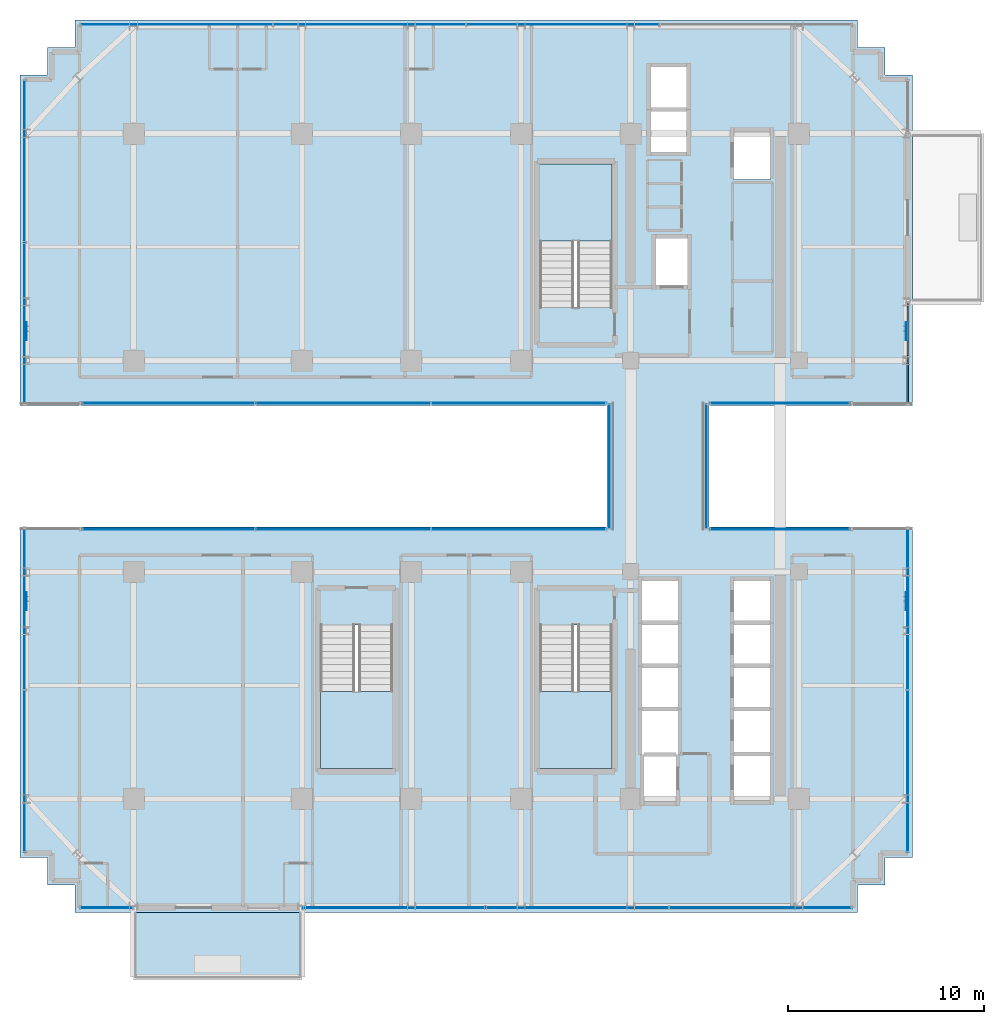
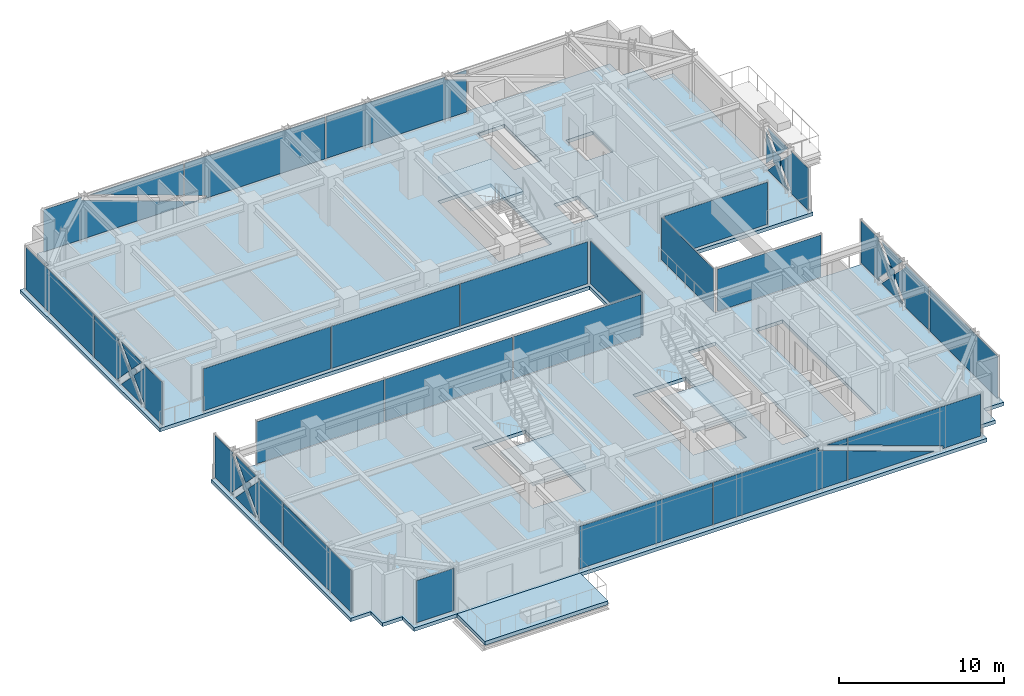
# One storey, part 30 of 38: 28 plates, 5 slabs, 16 elements without a shape of their own.
"""IFC4 building model written with IfcOpenShell, lengths in metres."""

from ifc_helpers import new_model, si_unit, direction, frame, origin, origin_2d, place, context, subcontext, project, spatial, polyline, rectangle, outline, extrude, source, transform, mapped, material, layer, layer_set, type_object, element, aggregate, save


model = new_model("IFC4")

# Units and contexts
model_context = context("Model", 3, precision=1e-05, world=origin(), true_north=direction((0.0, 1.0)))
body_context = subcontext(model_context, "Body", "Model", "MODEL_VIEW")
ifc_project = project(units=[si_unit("LENGTHUNIT", "METRE"), si_unit("AREAUNIT", "SQUARE_METRE"), si_unit("VOLUMEUNIT", "CUBIC_METRE"), si_unit("PLANEANGLEUNIT", "RADIAN"), si_unit("MASSUNIT", "GRAM", prefix="KILO")], contexts=[model_context])

# Site, building, storey
site_placement = place(None, origin())
site = spatial("IfcSite", under=ifc_project, at=site_placement, CompositionType="ELEMENT")
building_placement = place(site_placement, origin())
building = spatial("IfcBuilding", under=site, at=building_placement, Name="Nahalor Promenade Grand Hotel", CompositionType="ELEMENT")
storey_placement = place(building_placement, frame((0.0, 0.0, 178.199951171875)))
storey = spatial("IfcBuildingStorey", under=building, at=storey_placement, Name="L45", CompositionType="ELEMENT", Elevation=178.199951171875)

# Curtain wall, plates
ifc_material_1 = material(Name="Anodised Bronze Aluminium EN AW-6063 T6", Category="aluminium")
curtain_wall_type_1 = type_object("IfcCurtainWallType", Name="CW3 Elliptical-Void Collar Unitised Curtain Wall", PredefinedType="USERDEFINED", material=ifc_material_1)
curtain_wall_1_placement = place(storey_placement, origin())
curtain_wall_1 = element("IfcCurtainWall", 1, at=curtain_wall_1_placement, inside=storey, type_object=curtain_wall_type_1, Name="L45 Curtain Wall CW-L45-S-3", ObjectType="UNITISED_CURTAIN_WALL", PredefinedType="USERDEFINED")
ifc_material_2 = material(Name="Low-E Laminated Solar Glass", Category="glass")
ifc_layer_1 = layer(ifc_material_2, 0.030029296875)
ifc_layer_set_1 = layer_set([ifc_layer_1], Name="Low-E Laminated Solar Glass")
plate_type_1 = type_object("IfcPlateType", Name="CWP3 High-Wind Laminated Bronze IGU 30mm", PredefinedType="CURTAIN_PANEL", material=ifc_layer_set_1)
plate_1_placement = place(storey_placement, frame((5.679931640625, -22.56005859375, 0.14013671875), z_axis=(0.0, 0.0, 1.0), x_axis=(1.0, 0.0, 0.0)))
plate_1 = element("IfcPlate", 2, at=plate_1_placement, type_object=plate_type_1, Name="CW-L45-S-3 Glazing Panel 1-0", PredefinedType="CURTAIN_PANEL", context=body_context, shape_type="SweptSolid", body=[
    extrude(outline(polyline([(-4.658447265625, 0.0), (4.658447265625, 0.0), (4.658447265625, 2.19091796875), (2.62890625, 2.920166015625), (2.697021484375, 3.110107421875), (-4.658447265625, 3.110107421875), (-4.658447265625, 0.0)])), frame((0.0, 0.01513671875, 0.0), z_axis=(0.0, -1.0, 0.0), x_axis=(1.0, 0.0, 0.0)), (0.0, 0.0, 1.0), 0.030029296875),
    extrude(outline(polyline([(4.658447265625, 2.615966796875), (4.658447265625, 3.110107421875), (3.28369140625, 3.110107421875), (4.658447265625, 2.615966796875)])), frame((0.0, 0.01513671875, 0.0), z_axis=(0.0, -1.0, 0.0), x_axis=(1.0, 0.0, 0.0)), (0.0, 0.0, 1.0), 0.030029296875),
])
plate_2_placement = place(storey_placement, frame((15.049072265625, -22.56005859375, 0.14013671875), z_axis=(0.0, 0.0, 1.0), x_axis=(1.0, 0.0, 0.0)))
plate_2 = element("IfcPlate", 3, at=plate_2_placement, type_object=plate_type_1, Name="CW-L45-S-3 Glazing Panel 2-0", PredefinedType="CURTAIN_PANEL", context=body_context, shape_type="SweptSolid", body=[
    extrude(outline(polyline([(4.640869140625, 3.110107421875), (-4.640869140625, 3.110107421875), (-4.640869140625, 2.5908203125), (2.0419921875, 0.189697265625), (1.973876953125, 0.0), (4.640869140625, 0.0), (4.640869140625, 3.110107421875)])), frame((0.0, 0.01513671875, 0.0), z_axis=(0.0, -1.0, 0.0), x_axis=(1.0, 0.0, 0.0)), (0.0, 0.0, 1.0), 0.030029296875),
    extrude(outline(polyline([(-4.640869140625, 2.165771484375), (-4.640869140625, 0.0), (1.38720703125, 0.0), (-4.640869140625, 2.165771484375)])), frame((0.0, 0.01513671875, 0.0), z_axis=(0.0, -1.0, 0.0), x_axis=(1.0, 0.0, 0.0)), (0.0, 0.0, 1.0), 0.030029296875),
])

curtain_wall_2_placement = place(storey_placement, origin())
curtain_wall_2 = element("IfcCurtainWall", 4, at=curtain_wall_2_placement, inside=storey, type_object=curtain_wall_type_1, Name="L45 Curtain Wall CW-L45-N-1", ObjectType="UNITISED_CURTAIN_WALL", PredefinedType="USERDEFINED")
plate_3_placement = place(storey_placement, frame((-14.802490234375, 22.56005859375, 0.14013671875), z_axis=(0.0, 0.0, 1.0), x_axis=(1.0, 0.0, 0.0)))
plate_3 = element("IfcPlate", 5, at=plate_3_placement, type_object=plate_type_1, Name="CW-L45-N-1 Glazing Panel 0-0", PredefinedType="CURTAIN_PANEL", context=body_context, shape_type="SweptSolid", body=[
    extrude(outline(polyline([(-4.887451171875, 0.0), (4.887451171875, 0.0), (4.887451171875, 0.341796875), (-2.28857421875, 2.920166015625), (-2.220458984375, 3.110107421875), (-4.887451171875, 3.110107421875), (-4.887451171875, 0.0)])), frame((0.0, 0.01513671875, 0.0), z_axis=(0.0, -1.0, 0.0), x_axis=(1.0, 0.0, 0.0)), (0.0, 0.0, 1.0), 0.030029296875),
    extrude(outline(polyline([(4.887451171875, 0.766845703125), (4.887451171875, 3.110107421875), (-1.6337890625, 3.110107421875), (4.887451171875, 0.766845703125)])), frame((0.0, 0.01513671875, 0.0), z_axis=(0.0, -1.0, 0.0), x_axis=(1.0, 0.0, 0.0)), (0.0, 0.0, 1.0), 0.030029296875),
])
plate_4_placement = place(storey_placement, frame((-4.93994140625, 22.56005859375, 0.14013671875), z_axis=(0.0, 0.0, 1.0), x_axis=(1.0, 0.0, 0.0)))
plate_4 = element("IfcPlate", 6, at=plate_4_placement, type_object=plate_type_1, Name="CW-L45-N-1 Glazing Panel 1-0", PredefinedType="CURTAIN_PANEL", context=body_context, shape_type="SweptSolid", body=[
    extrude(outline(polyline([(4.905029296875, 3.110107421875), (-4.905029296875, 3.110107421875), (-4.905029296875, 0.74169921875), (-3.368896484375, 0.189697265625), (-3.43701171875, 0.0), (4.905029296875, 0.0), (4.905029296875, 3.110107421875)])), frame((0.0, 0.01513671875, 0.0), z_axis=(0.0, -1.0, 0.0), x_axis=(1.0, 0.0, 0.0)), (0.0, 0.0, 1.0), 0.030029296875),
    extrude(outline(polyline([(-4.905029296875, 0.316650390625), (-4.905029296875, 0.0), (-4.023681640625, 0.0), (-4.905029296875, 0.316650390625)])), frame((0.0, 0.01513671875, 0.0), z_axis=(0.0, -1.0, 0.0), x_axis=(1.0, 0.0, 0.0)), (0.0, 0.0, 1.0), 0.030029296875),
])
plate_5_placement = place(storey_placement, frame((4.93994140625, 22.56005859375, 0.14013671875), z_axis=(0.0, 0.0, 1.0), x_axis=(1.0, 0.0, 0.0)))
plate_5 = element("IfcPlate", 7, at=plate_5_placement, type_object=plate_type_1, Name="CW-L45-N-1 Glazing Panel 2-0", PredefinedType="CURTAIN_PANEL", context=body_context, shape_type="SweptSolid", body=[
    extrude(outline(polyline([(-4.905029296875, 0.0), (4.905029296875, 0.0), (4.905029296875, 2.368408203125), (3.368896484375, 2.920166015625), (3.43701171875, 3.110107421875), (-4.905029296875, 3.110107421875), (-4.905029296875, 0.0)])), frame((0.0, 0.01513671875, 0.0), z_axis=(0.0, -1.0, 0.0), x_axis=(1.0, 0.0, 0.0)), (0.0, 0.0, 1.0), 0.030029296875),
    extrude(outline(polyline([(4.905029296875, 2.793212890625), (4.905029296875, 3.110107421875), (4.023681640625, 3.110107421875), (4.905029296875, 2.793212890625)])), frame((0.0, 0.01513671875, 0.0), z_axis=(0.0, -1.0, 0.0), x_axis=(1.0, 0.0, 0.0)), (0.0, 0.0, 1.0), 0.030029296875),
])
aggregate(curtain_wall_2, [plate_3, plate_4, plate_5])

# Curtain wall, plate
curtain_wall_3_placement = place(storey_placement, origin())
curtain_wall_3 = element("IfcCurtainWall", 8, at=curtain_wall_3_placement, inside=storey, type_object=curtain_wall_type_1, Name="L45 Curtain Wall CW-L45-W-1", ObjectType="UNITISED_CURTAIN_WALL", PredefinedType="USERDEFINED")
plate_6_placement = place(storey_placement, frame((-22.56005859375, -7.282470703125, 0.14013671875), z_axis=(0.0, 0.0, 1.0), x_axis=(0.0, 1.0, 0.0)))
plate_6 = element("IfcPlate", 9, at=plate_6_placement, type_object=plate_type_1, Name="CW-L45-W-1 Glazing Panel 1-0", PredefinedType="CURTAIN_PANEL", context=body_context, shape_type="SweptSolid", body=[
    extrude(outline(polyline([(-4.112548828125, 3.110107421875), (-4.112548828125, 0.0), (-1.14306640625, 0.0), (-1.2783203125, 0.13134765625), (0.103759765625, 1.554931640625), (-1.2783203125, 2.978515625), (-1.14306640625, 3.110107421875), (-4.112548828125, 3.110107421875)])), frame((0.0, 0.01513671875, 0.0), z_axis=(0.0, -1.0, 0.0), x_axis=(1.0, 0.0, 0.0)), (0.0, 0.0, 1.0), 0.030029296875),
    extrude(outline(polyline([(0.382568359375, 1.267822265625), (-0.848388671875, 0.0), (1.613525390625, 0.0), (0.382568359375, 1.267822265625)])), frame((0.0, 0.01513671875, 0.0), z_axis=(0.0, -1.0, 0.0), x_axis=(1.0, 0.0, 0.0)), (0.0, 0.0, 1.0), 0.030029296875),
    extrude(outline(polyline([(0.382568359375, 1.842041015625), (1.613525390625, 3.110107421875), (-0.848388671875, 3.110107421875), (0.382568359375, 1.842041015625)])), frame((0.0, 0.01513671875, 0.0), z_axis=(0.0, -1.0, 0.0), x_axis=(1.0, 0.0, 0.0)), (0.0, 0.0, 1.0), 0.030029296875),
    extrude(outline(polyline([(4.112548828125, 0.0), (4.112548828125, 3.110107421875), (1.908203125, 3.110107421875), (2.04345703125, 2.978515625), (0.661376953125, 1.554931640625), (2.04345703125, 0.13134765625), (1.908203125, 0.0), (4.112548828125, 0.0)])), frame((0.0, 0.01513671875, 0.0), z_axis=(0.0, -1.0, 0.0), x_axis=(1.0, 0.0, 0.0)), (0.0, 0.0, 1.0), 0.030029296875),
])

curtain_wall_4_placement = place(storey_placement, origin())
curtain_wall_4 = element("IfcCurtainWall", 10, at=curtain_wall_4_placement, inside=storey, type_object=curtain_wall_type_1, Name="L45 Curtain Wall CW-L45-W-2", ObjectType="UNITISED_CURTAIN_WALL", PredefinedType="USERDEFINED")
plate_7_placement = place(storey_placement, frame((-22.56005859375, 7.282470703125, 0.14013671875), z_axis=(0.0, 0.0, 1.0), x_axis=(0.0, 1.0, 0.0)))
plate_7 = element("IfcPlate", 11, at=plate_7_placement, type_object=plate_type_1, Name="CW-L45-W-2 Glazing Panel 0-0", PredefinedType="CURTAIN_PANEL", context=body_context, shape_type="SweptSolid", body=[
    extrude(outline(polyline([(-4.112548828125, 3.110107421875), (-4.112548828125, 0.0), (-1.908203125, 0.0), (-2.04345703125, 0.13134765625), (-0.661376953125, 1.554931640625), (-2.04345703125, 2.978515625), (-1.908203125, 3.110107421875), (-4.112548828125, 3.110107421875)])), frame((0.0, 0.01513671875, 0.0), z_axis=(0.0, -1.0, 0.0), x_axis=(1.0, 0.0, 0.0)), (0.0, 0.0, 1.0), 0.030029296875),
    extrude(outline(polyline([(-0.382568359375, 1.267822265625), (-1.613525390625, 0.0), (0.848388671875, 0.0), (-0.382568359375, 1.267822265625)])), frame((0.0, 0.01513671875, 0.0), z_axis=(0.0, -1.0, 0.0), x_axis=(1.0, 0.0, 0.0)), (0.0, 0.0, 1.0), 0.030029296875),
    extrude(outline(polyline([(-0.382568359375, 1.842041015625), (0.848388671875, 3.110107421875), (-1.613525390625, 3.110107421875), (-0.382568359375, 1.842041015625)])), frame((0.0, 0.01513671875, 0.0), z_axis=(0.0, -1.0, 0.0), x_axis=(1.0, 0.0, 0.0)), (0.0, 0.0, 1.0), 0.030029296875),
    extrude(outline(polyline([(4.112548828125, 0.0), (4.112548828125, 3.110107421875), (1.14306640625, 3.110107421875), (1.2783203125, 2.978515625), (-0.103759765625, 1.554931640625), (1.2783203125, 0.13134765625), (1.14306640625, 0.0), (4.112548828125, 0.0)])), frame((0.0, 0.01513671875, 0.0), z_axis=(0.0, -1.0, 0.0), x_axis=(1.0, 0.0, 0.0)), (0.0, 0.0, 1.0), 0.030029296875),
])

curtain_wall_5_placement = place(storey_placement, origin())
curtain_wall_5 = element("IfcCurtainWall", 12, at=curtain_wall_5_placement, inside=storey, type_object=curtain_wall_type_1, Name="L45 Curtain Wall CW-L45-E-1", ObjectType="UNITISED_CURTAIN_WALL", PredefinedType="USERDEFINED")
plate_8_placement = place(storey_placement, frame((22.56005859375, -7.282470703125, 0.14013671875), z_axis=(0.0, 0.0, 1.0), x_axis=(0.0, 1.0, 0.0)))
plate_8 = element("IfcPlate", 13, at=plate_8_placement, type_object=plate_type_1, Name="CW-L45-E-1 Glazing Panel 1-0", PredefinedType="CURTAIN_PANEL", context=body_context, shape_type="SweptSolid", body=[
    extrude(outline(polyline([(-4.112548828125, 3.110107421875), (-4.112548828125, 0.0), (-1.14306640625, 0.0), (-1.2783203125, 0.13134765625), (0.103759765625, 1.554931640625), (-1.2783203125, 2.978515625), (-1.14306640625, 3.110107421875), (-4.112548828125, 3.110107421875)])), frame((0.0, 0.01513671875, 0.0), z_axis=(0.0, -1.0, 0.0), x_axis=(1.0, 0.0, 0.0)), (0.0, 0.0, 1.0), 0.030029296875),
    extrude(outline(polyline([(0.382568359375, 1.267822265625), (-0.848388671875, 0.0), (1.613525390625, 0.0), (0.382568359375, 1.267822265625)])), frame((0.0, 0.01513671875, 0.0), z_axis=(0.0, -1.0, 0.0), x_axis=(1.0, 0.0, 0.0)), (0.0, 0.0, 1.0), 0.030029296875),
    extrude(outline(polyline([(0.382568359375, 1.842041015625), (1.613525390625, 3.110107421875), (-0.848388671875, 3.110107421875), (0.382568359375, 1.842041015625)])), frame((0.0, 0.01513671875, 0.0), z_axis=(0.0, -1.0, 0.0), x_axis=(1.0, 0.0, 0.0)), (0.0, 0.0, 1.0), 0.030029296875),
    extrude(outline(polyline([(4.112548828125, 0.0), (4.112548828125, 3.110107421875), (1.908203125, 3.110107421875), (2.04345703125, 2.978515625), (0.661376953125, 1.554931640625), (2.04345703125, 0.13134765625), (1.908203125, 0.0), (4.112548828125, 0.0)])), frame((0.0, 0.01513671875, 0.0), z_axis=(0.0, -1.0, 0.0), x_axis=(1.0, 0.0, 0.0)), (0.0, 0.0, 1.0), 0.030029296875),
])

curtain_wall_6_placement = place(storey_placement, origin())
curtain_wall_6 = element("IfcCurtainWall", 14, at=curtain_wall_6_placement, inside=storey, type_object=curtain_wall_type_1, Name="L45 Curtain Wall CW-L45-E-2", ObjectType="UNITISED_CURTAIN_WALL", PredefinedType="USERDEFINED")
plate_9_placement = place(storey_placement, frame((22.56005859375, 5.75, 0.14013671875), z_axis=(0.0, 0.0, 1.0), x_axis=(0.0, 1.0, 0.0)))
plate_9 = element("IfcPlate", 15, at=plate_9_placement, type_object=plate_type_1, Name="CW-L45-E-2 Glazing Panel 0-0", PredefinedType="CURTAIN_PANEL", context=body_context, shape_type="SweptSolid", body=[
    extrude(outline(polyline([(-2.580078125, 3.110107421875), (-2.580078125, 0.0), (-0.37548828125, 0.0), (-0.510986328125, 0.13134765625), (0.871337890625, 1.554931640625), (-0.510986328125, 2.978515625), (-0.37548828125, 3.110107421875), (-2.580078125, 3.110107421875)])), frame((0.0, 0.01513671875, 0.0), z_axis=(0.0, -1.0, 0.0), x_axis=(1.0, 0.0, 0.0)), (0.0, 0.0, 1.0), 0.030029296875),
    extrude(outline(polyline([(1.14990234375, 1.267822265625), (-0.0810546875, 0.0), (2.380859375, 0.0), (1.14990234375, 1.267822265625)])), frame((0.0, 0.01513671875, 0.0), z_axis=(0.0, -1.0, 0.0), x_axis=(1.0, 0.0, 0.0)), (0.0, 0.0, 1.0), 0.030029296875),
    extrude(outline(polyline([(1.14990234375, 1.842041015625), (2.380859375, 3.110107421875), (-0.0810546875, 3.110107421875), (1.14990234375, 1.842041015625)])), frame((0.0, 0.01513671875, 0.0), z_axis=(0.0, -1.0, 0.0), x_axis=(1.0, 0.0, 0.0)), (0.0, 0.0, 1.0), 0.030029296875),
    extrude(outline(polyline([(1.4287109375, 1.554931640625), (2.580078125, 0.369140625), (2.580078125, 2.74072265625), (1.4287109375, 1.554931640625)])), frame((0.0, 0.01513671875, 0.0), z_axis=(0.0, -1.0, 0.0), x_axis=(1.0, 0.0, 0.0)), (0.0, 0.0, 1.0), 0.030029296875),
])
aggregate(curtain_wall_6, [plate_9])

# Stair, slab
ifc_material_3 = material(Name="Concrete B-50 (C40/50)", Category="concrete")
stair_type_1 = type_object("IfcStairType", Name="Stair-ST1", PredefinedType="HALF_TURN_STAIR", material=ifc_material_3)
stair_1_placement = place(storey_placement, origin())
stair_1 = element("IfcStair", 16, at=stair_1_placement, inside=storey, type_object=stair_type_1, Name="L45 ST1", PredefinedType="HALF_TURN_STAIR")
ifc_layer_2 = layer(ifc_material_3, 0.199951171875)
ifc_layer_set_2 = layer_set([ifc_layer_2], Name="Concrete B-50 (C40/50)")
slab_type_1 = type_object("IfcSlabType", Name="Landing-ST1", PredefinedType="LANDING", material=ifc_layer_set_2)
slab_1_placement = place(storey_placement, frame((0.0, 0.0, 1.625)))
slab_1 = element("IfcSlab", 17, at=slab_1_placement, type_object=slab_type_1, Name="ST1 landing 1", PredefinedType="LANDING", context=body_context, shape_type="SweptSolid", body=[
    extrude(outline(polyline([(7.449951171875, 11.5), (7.449951171875, 15.449951171875), (3.75, 15.449951171875), (3.75, 11.5), (7.449951171875, 11.5)])), origin(), (0.0, 0.0, 1.0), 0.199951171875),
])
aggregate(stair_1, [slab_1])

stair_type_2 = type_object("IfcStairType", Name="Stair-ST2", PredefinedType="HALF_TURN_STAIR", material=ifc_material_3)
stair_2_placement = place(storey_placement, origin())
stair_2 = element("IfcStair", 18, at=stair_2_placement, inside=storey, type_object=stair_type_2, Name="L45 ST2", PredefinedType="HALF_TURN_STAIR")
ifc_layer_3 = layer(ifc_material_3, 0.2099609375)
ifc_layer_set_3 = layer_set([ifc_layer_3], Name="Concrete B-50 (C40/50)")
slab_type_2 = type_object("IfcSlabType", Name="Landing-ST2", PredefinedType="LANDING", material=ifc_layer_set_3)
slab_2_placement = place(storey_placement, frame((0.0, 0.0, 1.614990234375)))
slab_2 = element("IfcSlab", 19, at=slab_2_placement, type_object=slab_type_2, Name="ST2 landing 1", PredefinedType="LANDING", context=body_context, shape_type="SweptSolid", body=[
    extrude(outline(polyline([(3.75, -11.5), (3.75, -15.449951171875), (7.449951171875, -15.449951171875), (7.449951171875, -11.5), (3.75, -11.5)])), origin(), (0.0, 0.0, 1.0), 0.2099609375),
])
aggregate(stair_2, [slab_2])

stair_type_3 = type_object("IfcStairType", Name="Stair-ST3", PredefinedType="HALF_TURN_STAIR", material=ifc_material_3)
stair_3_placement = place(storey_placement, origin())
stair_3 = element("IfcStair", 20, at=stair_3_placement, inside=storey, type_object=stair_type_3, Name="L45 ST3", PredefinedType="HALF_TURN_STAIR")
ifc_layer_4 = layer(ifc_material_3, 0.219970703125)
ifc_layer_set_4 = layer_set([ifc_layer_4], Name="Concrete B-50 (C40/50)")
slab_type_3 = type_object("IfcSlabType", Name="Landing-ST3", PredefinedType="LANDING", material=ifc_layer_set_4)
slab_3_placement = place(storey_placement, frame((0.0, 0.0, 1.60498046875)))
slab_3 = element("IfcSlab", 21, at=slab_3_placement, type_object=slab_type_3, Name="ST3 landing 1", PredefinedType="LANDING", context=body_context, shape_type="SweptSolid", body=[
    extrude(outline(polyline([(-7.449951171875, -11.5), (-7.449951171875, -15.449951171875), (-3.75, -15.449951171875), (-3.75, -11.5), (-7.449951171875, -11.5)])), origin(), (0.0, 0.0, 1.0), 0.219970703125),
])
aggregate(stair_3, [slab_3])

# Slabs
ifc_layer_5 = layer(ifc_material_3, 0.280029296875)
ifc_layer_set_5 = layer_set([ifc_layer_5], Name="Concrete B-50 (C40/50)")
slab_type_4 = type_object("IfcSlabType", Name="Slab-Balcony-280", PredefinedType="FLOOR", material=ifc_layer_set_5)
slab_4_placement = place(storey_placement, frame((0.0, 0.0, -0.280029296875)))
element("IfcSlab", 22, at=slab_4_placement, inside=storey, type_object=slab_type_4, Name="L45 Cantilevered Planted Balcony 1", PredefinedType="FLOOR", context=body_context, shape_type="SweptSolid", body=[
    extrude(outline(polyline([(-17.0, -26.179931640625), (-8.39990234375, -26.179931640625), (-8.39990234375, -22.800048828125), (-17.0, -22.800048828125), (-17.0, -26.179931640625)])), origin(), (0.0, 0.0, 1.0), 0.280029296875),
])
ifc_layer_6 = layer(ifc_material_3, 0.260009765625)
ifc_layer_set_6 = layer_set([ifc_layer_6], Name="Concrete B-50 (C40/50)")
slab_type_5 = type_object("IfcSlabType", Name="Slab-TowerZ3-260", PredefinedType="FLOOR", material=ifc_layer_set_6)
slab_5_placement = place(storey_placement, frame((0.0, 0.0, -0.260009765625)))
element("IfcSlab", 23, at=slab_5_placement, inside=storey, type_object=slab_type_5, Name="L45 Suspended Structural Floor Slab", PredefinedType="FLOOR", context=body_context, shape_type="SweptSolid", body=[
    extrude(outline(polyline([(-20.0, -22.800048828125), (20.0, -22.800048828125), (20.0, -21.39990234375), (21.39990234375, -21.39990234375), (21.39990234375, -20.0), (22.800048828125, -20.0), (22.800048828125, -3.10009765625), (12.39990234375, -3.10009765625), (12.39990234375, 3.10009765625), (22.800048828125, 3.10009765625), (22.800048828125, 20.0), (21.39990234375, 20.0), (21.39990234375, 21.39990234375), (20.0, 21.39990234375), (20.0, 22.800048828125), (-20.0, 22.800048828125), (-20.0, 21.39990234375), (-21.39990234375, 21.39990234375), (-21.39990234375, 20.0), (-22.800048828125, 20.0), (-22.800048828125, 3.10009765625), (7.199951171875, 3.10009765625), (7.199951171875, -3.10009765625), (-22.800048828125, -3.10009765625), (-22.800048828125, -20.0), (-21.39990234375, -20.0), (-21.39990234375, -21.39990234375), (-20.0, -21.39990234375), (-20.0, -22.800048828125)]), holes=[polyline([(3.75, 8.10009765625), (7.449951171875, 8.10009765625), (7.449951171875, 15.449951171875), (3.75, 15.449951171875), (3.75, 8.10009765625)]), polyline([(3.75, -15.449951171875), (7.449951171875, -15.449951171875), (7.449951171875, -8.10009765625), (3.75, -8.10009765625), (3.75, -15.449951171875)]), polyline([(-7.449951171875, -15.449951171875), (-3.75, -15.449951171875), (-3.75, -8.10009765625), (-7.449951171875, -8.10009765625), (-7.449951171875, -15.449951171875)]), polyline([(13.659912109375, -17.139892578125), (15.5400390625, -17.139892578125), (15.5400390625, -5.81005859375), (13.659912109375, -5.81005859375), (13.659912109375, -17.139892578125)]), polyline([(8.9599609375, -17.18994140625), (10.840087890625, -17.18994140625), (10.840087890625, -5.81005859375), (8.9599609375, -5.81005859375), (8.9599609375, -17.18994140625)]), polyline([(9.409912109375, 16.010009765625), (11.2900390625, 16.010009765625), (11.2900390625, 20.43994140625), (9.409912109375, 20.43994140625), (9.409912109375, 16.010009765625)]), polyline([(9.659912109375, 9.2099609375), (11.340087890625, 9.2099609375), (11.340087890625, 11.68994140625), (9.659912109375, 11.68994140625), (9.659912109375, 9.2099609375)]), polyline([(13.659912109375, 14.659912109375), (15.5400390625, 14.659912109375), (15.5400390625, 17.139892578125), (13.659912109375, 17.139892578125), (13.659912109375, 14.659912109375)])]), origin(), (0.0, 0.0, 1.0), 0.260009765625),
])

# Plates
ifc_material_4 = material(Name="Steel S355J2", Category="steel")
ifc_layer_7 = layer(ifc_material_4, 0.035888671875)
ifc_layer_set_7 = layer_set([ifc_layer_7], Name="Steel S355J2")
plate_type_2 = type_object("IfcPlateType", Name="Plate-CrossGusset-36", PredefinedType="USERDEFINED", material=ifc_layer_set_7)
shared_shape_1 = source(origin(), body_context, "Body", "SweptSolid", [
    extrude(rectangle(XDim=0.89990234375, YDim=0.035888671875, at=origin_2d()), origin(), (0.0, 0.0, 1.0), 0.89990234375),
])
for number, where, z_axis, x_axis, name in (
    (24, (-22.47998046875, -6.89990234375, 1.2451171875), (0.0, 0.0, 1.0), (0.0, 1.0, 0.0), "PL-L45-VXX-W0"),
    (25, (-22.47998046875, 6.89990234375, 1.2451171875), (0.0, 0.0, 1.0), (0.0, 1.0, 0.0), "PL-L45-VXX-W1"),
    (26, (22.47998046875, -6.89990234375, 1.2451171875), (0.0, 0.0, 1.0), (0.0, 1.0, 0.0), "PL-L45-VXX-E0"),
    (27, (22.47998046875, 6.89990234375, 1.2451171875), (0.0, 0.0, 1.0), (0.0, 1.0, 0.0), "PL-L45-VXX-E1"),
):
    element("IfcPlate", number, at=place(storey_placement, frame(where, z_axis=z_axis, x_axis=x_axis)), inside=storey, type_object=plate_type_2, Name=name, ObjectType="GUSSET_PLATE", PredefinedType="USERDEFINED", context=body_context, shape_type="MappedRepresentation", body=[
        mapped(shared_shape_1, transform((0.0, 0.0, 0.0), scale=1.0)),
    ])

# Curtain wall, plate
curtain_wall_7_placement = place(storey_placement, origin())
curtain_wall_7 = element("IfcCurtainWall", 28, at=curtain_wall_7_placement, inside=storey, type_object=curtain_wall_type_1, Name="L45 Curtain Wall CW-L45-S-1", ObjectType="UNITISED_CURTAIN_WALL", PredefinedType="USERDEFINED")
shared_shape_2 = source(origin(), body_context, "Body", "SweptSolid", [
    extrude(rectangle(XDim=2.6201171875, YDim=0.030029296875, at=origin_2d()), origin(), (0.0, 0.0, 1.0), 3.110107421875),
])
plate_10_placement = place(storey_placement, frame((-18.3798828125, -22.56005859375, 0.14013671875), z_axis=(0.0, 0.0, 1.0), x_axis=(1.0, 0.0, 0.0)))
plate_10 = element("IfcPlate", 29, at=plate_10_placement, type_object=plate_type_1, Name="CW-L45-S-1 Glazing Panel 0-0", PredefinedType="CURTAIN_PANEL", context=body_context, shape_type="MappedRepresentation", body=[
    mapped(shared_shape_2, transform((0.0, 0.0, 0.0), scale=1.0)),
])
aggregate(curtain_wall_7, [plate_10])

# Curtain wall, plates
curtain_wall_8_placement = place(storey_placement, origin())
curtain_wall_8 = element("IfcCurtainWall", 30, at=curtain_wall_8_placement, inside=storey, type_object=curtain_wall_type_1, Name="L45 Curtain Wall CW-L45-VOID-WS1", ObjectType="UNITISED_CURTAIN_WALL", PredefinedType="USERDEFINED")
shared_shape_3 = source(origin(), body_context, "Body", "SweptSolid", [
    extrude(rectangle(XDim=8.881591796875, YDim=0.030029296875, at=origin_2d()), origin(), (0.0, 0.0, 1.0), 3.110107421875),
])
plate_11_placement = place(storey_placement, frame((-15.249267578125, -3.219970703125, 0.14013671875), z_axis=(0.0, 0.0, 1.0), x_axis=(1.0, 0.0, 0.0)))
plate_11 = element("IfcPlate", 31, at=plate_11_placement, type_object=plate_type_1, Name="CW-L45-VOID-WS1 Glazing Panel 0-0", PredefinedType="CURTAIN_PANEL", context=body_context, shape_type="MappedRepresentation", body=[
    mapped(shared_shape_3, transform((0.0, 0.0, 0.0), scale=1.0)),
])
plate_12_placement = place(storey_placement, frame((2.689208984375, -3.219970703125, 0.14013671875), z_axis=(0.0, 0.0, 1.0), x_axis=(1.0, 0.0, 0.0)))
plate_12 = element("IfcPlate", 32, at=plate_12_placement, type_object=plate_type_1, Name="CW-L45-VOID-WS1 Glazing Panel 2-0", PredefinedType="CURTAIN_PANEL", context=body_context, shape_type="MappedRepresentation", body=[
    mapped(shared_shape_3, transform((0.0, 0.0, 0.0), scale=1.0)),
])

curtain_wall_9_placement = place(storey_placement, origin())
curtain_wall_9 = element("IfcCurtainWall", 33, at=curtain_wall_9_placement, inside=storey, type_object=curtain_wall_type_1, Name="L45 Curtain Wall CW-L45-VOID-WN1", ObjectType="UNITISED_CURTAIN_WALL", PredefinedType="USERDEFINED")
plate_13_placement = place(storey_placement, frame((-15.249267578125, 3.219970703125, 0.14013671875), z_axis=(0.0, 0.0, 1.0), x_axis=(1.0, 0.0, 0.0)))
plate_13 = element("IfcPlate", 34, at=plate_13_placement, type_object=plate_type_1, Name="CW-L45-VOID-WN1 Glazing Panel 0-0", PredefinedType="CURTAIN_PANEL", context=body_context, shape_type="MappedRepresentation", body=[
    mapped(shared_shape_3, transform((0.0, 0.0, 0.0), scale=1.0)),
])
plate_14_placement = place(storey_placement, frame((2.689208984375, 3.219970703125, 0.14013671875), z_axis=(0.0, 0.0, 1.0), x_axis=(1.0, 0.0, 0.0)))
plate_14 = element("IfcPlate", 35, at=plate_14_placement, type_object=plate_type_1, Name="CW-L45-VOID-WN1 Glazing Panel 2-0", PredefinedType="CURTAIN_PANEL", context=body_context, shape_type="MappedRepresentation", body=[
    mapped(shared_shape_3, transform((0.0, 0.0, 0.0), scale=1.0)),
])

# Plate
shared_shape_4 = source(origin(), body_context, "Body", "SweptSolid", [
    extrude(rectangle(XDim=8.916748046875, YDim=0.030029296875, at=origin_2d()), origin(), (0.0, 0.0, 1.0), 3.110107421875),
])
plate_15_placement = place(storey_placement, frame((-6.280029296875, -3.219970703125, 0.14013671875), z_axis=(0.0, 0.0, 1.0), x_axis=(1.0, 0.0, 0.0)))
plate_15 = element("IfcPlate", 36, at=plate_15_placement, type_object=plate_type_1, Name="CW-L45-VOID-WS1 Glazing Panel 1-0", PredefinedType="CURTAIN_PANEL", context=body_context, shape_type="MappedRepresentation", body=[
    mapped(shared_shape_4, transform((0.0, 0.0, 0.0), scale=1.0)),
])

aggregate(curtain_wall_8, [plate_11, plate_15, plate_12])

plate_16_placement = place(storey_placement, frame((-6.280029296875, 3.219970703125, 0.14013671875), z_axis=(0.0, 0.0, 1.0), x_axis=(1.0, 0.0, 0.0)))
plate_16 = element("IfcPlate", 37, at=plate_16_placement, type_object=plate_type_1, Name="CW-L45-VOID-WN1 Glazing Panel 1-0", PredefinedType="CURTAIN_PANEL", context=body_context, shape_type="MappedRepresentation", body=[
    mapped(shared_shape_4, transform((0.0, 0.0, 0.0), scale=1.0)),
])

aggregate(curtain_wall_9, [plate_13, plate_16, plate_14])

# Curtain wall, plate
curtain_wall_10_placement = place(storey_placement, origin())
curtain_wall_10 = element("IfcCurtainWall", 38, at=curtain_wall_10_placement, inside=storey, type_object=curtain_wall_type_1, Name="L45 Curtain Wall CW-L45-VOID-ES1", ObjectType="UNITISED_CURTAIN_WALL", PredefinedType="USERDEFINED")
shared_shape_5 = source(origin(), body_context, "Body", "SweptSolid", [
    extrude(rectangle(XDim=7.219970703125, YDim=0.030029296875, at=origin_2d()), origin(), (0.0, 0.0, 1.0), 3.110107421875),
])
plate_17_placement = place(storey_placement, frame((16.080078125, -3.219970703125, 0.14013671875), z_axis=(0.0, 0.0, 1.0), x_axis=(1.0, 0.0, 0.0)))
plate_17 = element("IfcPlate", 39, at=plate_17_placement, type_object=plate_type_1, Name="CW-L45-VOID-ES1 Glazing Panel 0-0", PredefinedType="CURTAIN_PANEL", context=body_context, shape_type="MappedRepresentation", body=[
    mapped(shared_shape_5, transform((0.0, 0.0, 0.0), scale=1.0)),
])
aggregate(curtain_wall_10, [plate_17])

curtain_wall_11_placement = place(storey_placement, origin())
curtain_wall_11 = element("IfcCurtainWall", 40, at=curtain_wall_11_placement, inside=storey, type_object=curtain_wall_type_1, Name="L45 Curtain Wall CW-L45-VOID-EN1", ObjectType="UNITISED_CURTAIN_WALL", PredefinedType="USERDEFINED")
plate_18_placement = place(storey_placement, frame((16.080078125, 3.219970703125, 0.14013671875), z_axis=(0.0, 0.0, 1.0), x_axis=(1.0, 0.0, 0.0)))
plate_18 = element("IfcPlate", 41, at=plate_18_placement, type_object=plate_type_1, Name="CW-L45-VOID-EN1 Glazing Panel 0-0", PredefinedType="CURTAIN_PANEL", context=body_context, shape_type="MappedRepresentation", body=[
    mapped(shared_shape_5, transform((0.0, 0.0, 0.0), scale=1.0)),
])
aggregate(curtain_wall_11, [plate_18])

# Plate
shared_shape_6 = source(origin(), body_context, "Body", "SweptSolid", [
    extrude(rectangle(XDim=8.22509765625, YDim=0.030029296875, at=origin_2d()), origin(), (0.0, 0.0, 1.0), 3.110107421875),
])
plate_19_placement = place(storey_placement, frame((-22.56005859375, -15.577392578125, 0.14013671875), z_axis=(0.0, 0.0, 1.0), x_axis=(0.0, 1.0, 0.0)))
plate_19 = element("IfcPlate", 42, at=plate_19_placement, type_object=plate_type_1, Name="CW-L45-W-1 Glazing Panel 0-0", PredefinedType="CURTAIN_PANEL", context=body_context, shape_type="MappedRepresentation", body=[
    mapped(shared_shape_6, transform((0.0, 0.0, 0.0), scale=1.0)),
])

aggregate(curtain_wall_3, [plate_19, plate_6])

plate_20_placement = place(storey_placement, frame((-22.56005859375, 15.577392578125, 0.14013671875), z_axis=(0.0, 0.0, 1.0), x_axis=(0.0, 1.0, 0.0)))
plate_20 = element("IfcPlate", 43, at=plate_20_placement, type_object=plate_type_1, Name="CW-L45-W-2 Glazing Panel 1-0", PredefinedType="CURTAIN_PANEL", context=body_context, shape_type="MappedRepresentation", body=[
    mapped(shared_shape_6, transform((0.0, 0.0, 0.0), scale=1.0)),
])

aggregate(curtain_wall_4, [plate_7, plate_20])

plate_21_placement = place(storey_placement, frame((22.56005859375, -15.577392578125, 0.14013671875), z_axis=(0.0, 0.0, 1.0), x_axis=(0.0, 1.0, 0.0)))
plate_21 = element("IfcPlate", 44, at=plate_21_placement, type_object=plate_type_1, Name="CW-L45-E-1 Glazing Panel 0-0", PredefinedType="CURTAIN_PANEL", context=body_context, shape_type="MappedRepresentation", body=[
    mapped(shared_shape_6, transform((0.0, 0.0, 0.0), scale=1.0)),
])

aggregate(curtain_wall_5, [plate_21, plate_8])

# Curtain wall, plate
curtain_wall_type_2 = type_object("IfcCurtainWallType", Name="CW4 Low-Iron Sky-Gallery Bridge Curtain Wall", PredefinedType="USERDEFINED", material=ifc_material_1)
curtain_wall_12_placement = place(storey_placement, origin())
curtain_wall_12 = element("IfcCurtainWall", 45, at=curtain_wall_12_placement, inside=storey, type_object=curtain_wall_type_2, Name="L45 Curtain Wall CW-L45-BRG-W", ObjectType="UNITISED_CURTAIN_WALL", PredefinedType="USERDEFINED")
ifc_layer_8 = layer(ifc_material_2, 0.02587890625)
ifc_layer_set_8 = layer_set([ifc_layer_8], Name="Low-E Laminated Solar Glass")
plate_type_3 = type_object("IfcPlateType", Name="CWP4 Ultra-Clear Low-Iron Bridge IGU 26mm", PredefinedType="CURTAIN_PANEL", material=ifc_layer_set_8)
shared_shape_7 = source(origin(), body_context, "Body", "SweptSolid", [
    extrude(rectangle(XDim=6.320068359375, YDim=0.02587890625, at=origin_2d()), origin(), (0.0, 0.0, 1.0), 3.14990234375),
])
plate_22_placement = place(storey_placement, frame((7.320068359375, 0.0, 0.1201171875), z_axis=(0.0, 0.0, 1.0), x_axis=(0.0, 1.0, 0.0)))
plate_22 = element("IfcPlate", 46, at=plate_22_placement, type_object=plate_type_3, Name="CW-L45-BRG-W Glazing Panel 0-0", PredefinedType="CURTAIN_PANEL", context=body_context, shape_type="MappedRepresentation", body=[
    mapped(shared_shape_7, transform((0.0, 0.0, 0.0), scale=1.0)),
])
aggregate(curtain_wall_12, [plate_22])

curtain_wall_13_placement = place(storey_placement, origin())
curtain_wall_13 = element("IfcCurtainWall", 47, at=curtain_wall_13_placement, inside=storey, type_object=curtain_wall_type_2, Name="L45 Curtain Wall CW-L45-BRG-E", ObjectType="UNITISED_CURTAIN_WALL", PredefinedType="USERDEFINED")
plate_23_placement = place(storey_placement, frame((12.280029296875, 0.0, 0.1201171875), z_axis=(0.0, 0.0, 1.0), x_axis=(0.0, 1.0, 0.0)))
plate_23 = element("IfcPlate", 48, at=plate_23_placement, type_object=plate_type_3, Name="CW-L45-BRG-E Glazing Panel 0-0", PredefinedType="CURTAIN_PANEL", context=body_context, shape_type="MappedRepresentation", body=[
    mapped(shared_shape_7, transform((0.0, 0.0, 0.0), scale=1.0)),
])
aggregate(curtain_wall_13, [plate_23])

# Plate
shared_shape_8 = source(origin(), body_context, "Body", "SweptSolid", [
    extrude(rectangle(XDim=9.28173828125, YDim=0.030029296875, at=origin_2d()), origin(), (0.0, 0.0, 1.0), 3.110107421875),
])
plate_24_placement = place(storey_placement, frame((-3.689208984375, -22.56005859375, 0.14013671875), z_axis=(0.0, 0.0, 1.0), x_axis=(1.0, 0.0, 0.0)))
plate_24 = element("IfcPlate", 49, at=plate_24_placement, type_object=plate_type_1, Name="CW-L45-S-3 Glazing Panel 0-0", PredefinedType="CURTAIN_PANEL", context=body_context, shape_type="MappedRepresentation", body=[
    mapped(shared_shape_8, transform((0.0, 0.0, 0.0), scale=1.0)),
])

aggregate(curtain_wall_1, [plate_24, plate_1, plate_2])

save(model, "model.ifc")
